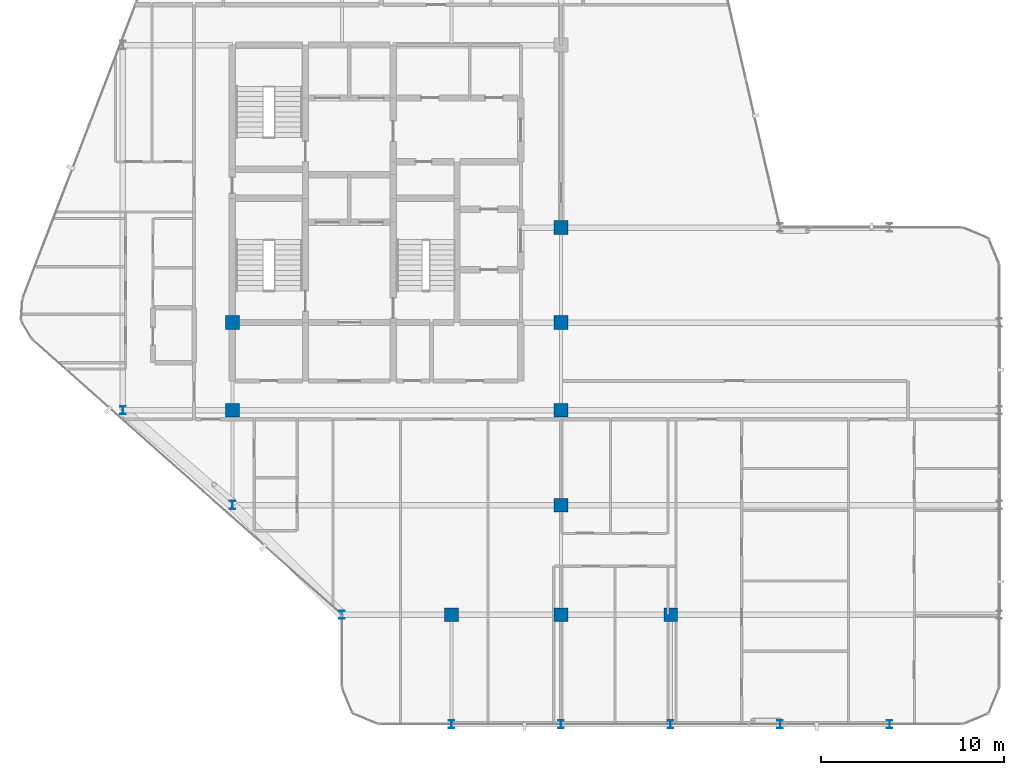
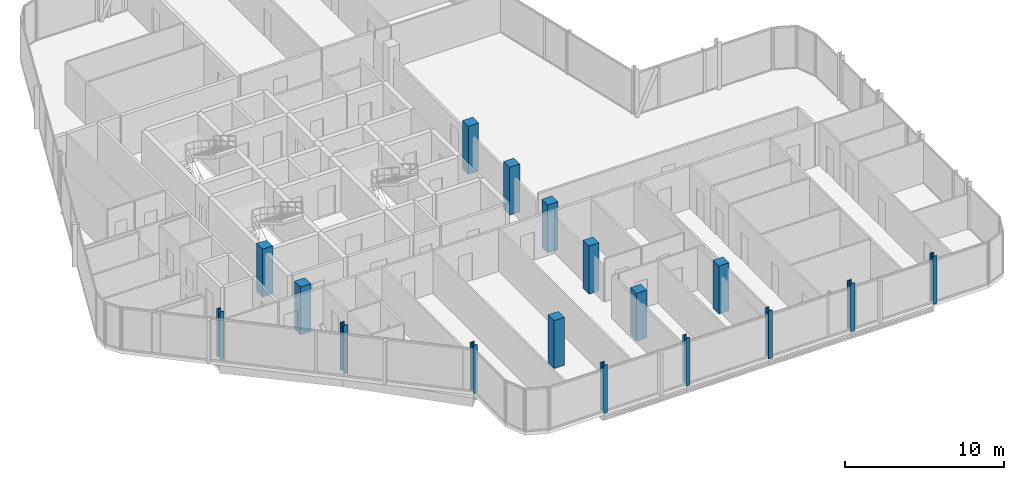
# One storey, part 1 of 28: 17 columns.
"""IFC4 building model written with IfcOpenShell, lengths in metres."""

from ifc_helpers import new_model, si_unit, direction, frame, origin, origin_2d, place, context, subcontext, project, spatial, rectangle, i_section, extrude, material, material_profile, profile_set, type_object, element, save


model = new_model("IFC4")

# Units and contexts
model_context = context("Model", 3, precision=1e-05, world=origin(), true_north=direction((0.0, 1.0)))
body_context = subcontext(model_context, "Body", "Model", "MODEL_VIEW")
ifc_project = project(units=[si_unit("LENGTHUNIT", "METRE"), si_unit("AREAUNIT", "SQUARE_METRE"), si_unit("VOLUMEUNIT", "CUBIC_METRE"), si_unit("PLANEANGLEUNIT", "RADIAN"), si_unit("MASSUNIT", "GRAM", prefix="KILO")], contexts=[model_context])

# Site, building, storey
site_placement = place(None, origin())
site = spatial("IfcSite", under=ifc_project, at=site_placement, CompositionType="ELEMENT")
building_placement = place(site_placement, origin())
building = spatial("IfcBuilding", under=site, at=building_placement, Name="Keshet Zoharim Tower", CompositionType="ELEMENT")
storey_placement = place(building_placement, frame((0.0, 0.0, 233.89990234375)))
storey = spatial("IfcBuildingStorey", under=building, at=storey_placement, Name="L58", CompositionType="ELEMENT", Elevation=233.89990234375)

# Columns
ifc_material_1 = material(Name="Steel S355", Category="steel")
ifc_material_profile_1 = material_profile(ifc_material_1, i_section(OverallWidth=0.300048828125, OverallDepth=0.449951171875, WebThickness=0.013916015625, FlangeThickness=0.02587890625, FilletRadius=0.027099609375, at=origin_2d()), Name="HEB450")
ifc_profile_set_1 = profile_set([ifc_material_profile_1], Name="Steel S355")
column_type_1 = type_object("IfcColumnType", Name="COL-HEB450", PredefinedType="COLUMN", material=ifc_profile_set_1)
for number, where, z_axis, x_axis, name in (
    (1, (9.0, 17.89990234375, 0.0), (0.0, 0.0, 1.0), (1.0, 0.0, 0.0), "L58 Column 2D"),
    (2, (15.0, 12.699951171875, 0.0), (0.0, 0.0, 1.0), (1.0, 0.0, 0.0), "L58 Column 3C"),
    (3, (21.0, 6.699951171875, 0.0), (0.0, 0.0, 1.0), (1.0, 0.0, 0.0), "L58 Column 4B"),
    (4, (27.0, 0.699951171875, 0.0), (0.0, 0.0, 1.0), (1.0, 0.0, 0.0), "L58 Column 5A"),
    (5, (33.0, 0.699951171875, 0.0), (0.0, 0.0, 1.0), (1.0, 0.0, 0.0), "L58 Column 6A"),
    (6, (39.0, 0.699951171875, 0.0), (0.0, 0.0, 1.0), (1.0, 0.0, 0.0), "L58 Column 7A"),
    (7, (45.0, 0.699951171875, 0.0), (0.0, 0.0, 1.0), (1.0, 0.0, 0.0), "L58 Column 8A"),
    (8, (51.0, 0.699951171875, 0.0), (0.0, 0.0, 1.0), (1.0, 0.0, 0.0), "L58 Column 9A"),
):
    element("IfcColumn", number, at=place(storey_placement, frame(where, z_axis=z_axis, x_axis=x_axis)), inside=storey, type_object=column_type_1, Name=name, PredefinedType="COLUMN", context=body_context, shape_type="SweptSolid", body=[
        extrude(i_section(OverallWidth=0.300048828125, OverallDepth=0.449951171875, WebThickness=0.013916015625, FlangeThickness=0.02587890625, FilletRadius=0.027099609375, at=origin_2d()), origin(), (0.0, 0.0, 1.0), 3.7001953125),
    ])
ifc_material_2 = material(Name="Concrete C50/60", Category="concrete")
ifc_material_profile_2 = material_profile(ifc_material_2, rectangle(XDim=0.75, YDim=0.75, at=origin_2d()), Name="RC750x750")
ifc_profile_set_2 = profile_set([ifc_material_profile_2], Name="Concrete C50/60")
column_type_2 = type_object("IfcColumnType", Name="COL-RC750", PredefinedType="COLUMN", material=ifc_profile_set_2)
for number, where, z_axis, x_axis, name in (
    (9, (15.0, 17.89990234375, 0.0), (0.0, 0.0, 1.0), (1.0, 0.0, 0.0), "L58 Column 3D"),
    (10, (15.0, 22.699951171875, 0.0), (0.0, 0.0, 1.0), (1.0, 0.0, 0.0), "L58 Column 3E"),
    (11, (27.0, 6.699951171875, 0.0), (0.0, 0.0, 1.0), (1.0, 0.0, 0.0), "L58 Column 5B"),
    (12, (33.0, 6.699951171875, 0.0), (0.0, 0.0, 1.0), (1.0, 0.0, 0.0), "L58 Column 6B"),
    (13, (33.0, 12.699951171875, 0.0), (0.0, 0.0, 1.0), (1.0, 0.0, 0.0), "L58 Column 6C"),
    (14, (33.0, 17.89990234375, 0.0), (0.0, 0.0, 1.0), (1.0, 0.0, 0.0), "L58 Column 6D"),
    (15, (33.0, 22.699951171875, 0.0), (0.0, 0.0, 1.0), (1.0, 0.0, 0.0), "L58 Column 6E"),
    (16, (33.0, 27.89990234375, 0.0), (0.0, 0.0, 1.0), (1.0, 0.0, 0.0), "L58 Column 6F"),
    (17, (39.0, 6.699951171875, 0.0), (0.0, 0.0, 1.0), (1.0, 0.0, 0.0), "L58 Column 7B"),
):
    element("IfcColumn", number, at=place(storey_placement, frame(where, z_axis=z_axis, x_axis=x_axis)), inside=storey, type_object=column_type_2, Name=name, PredefinedType="COLUMN", context=body_context, shape_type="SweptSolid", body=[
        extrude(rectangle(XDim=0.75, YDim=0.75, at=origin_2d()), origin(), (0.0, 0.0, 1.0), 3.7001953125),
    ])

save(model, "model.ifc")
